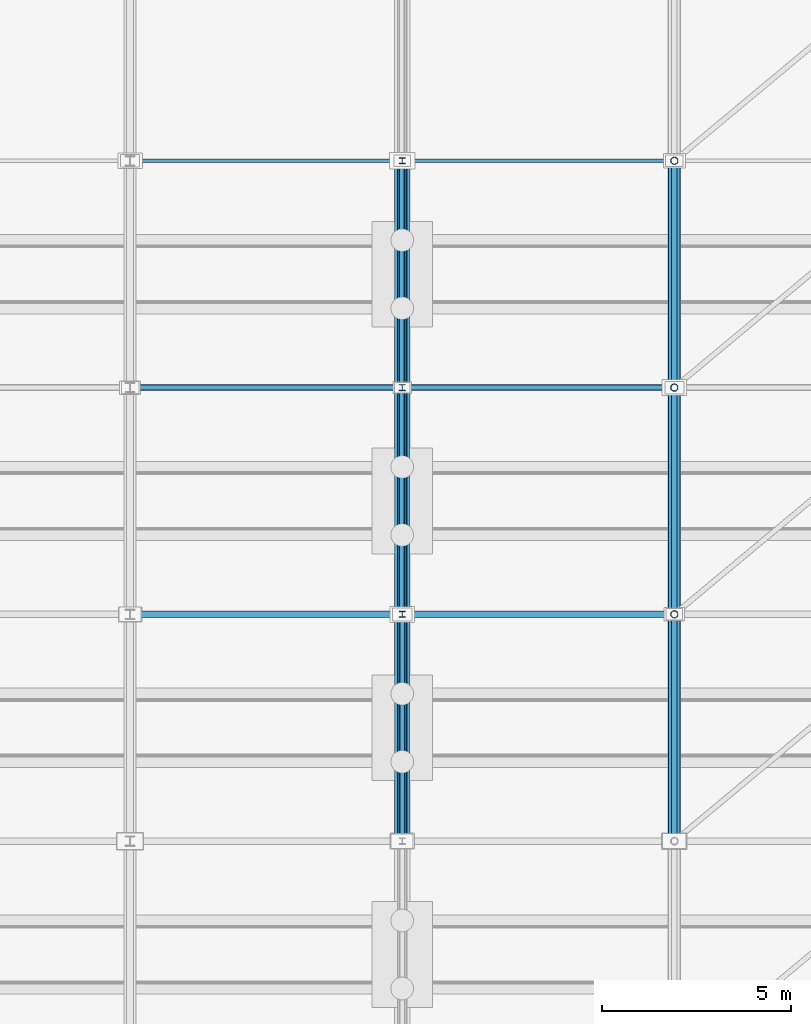
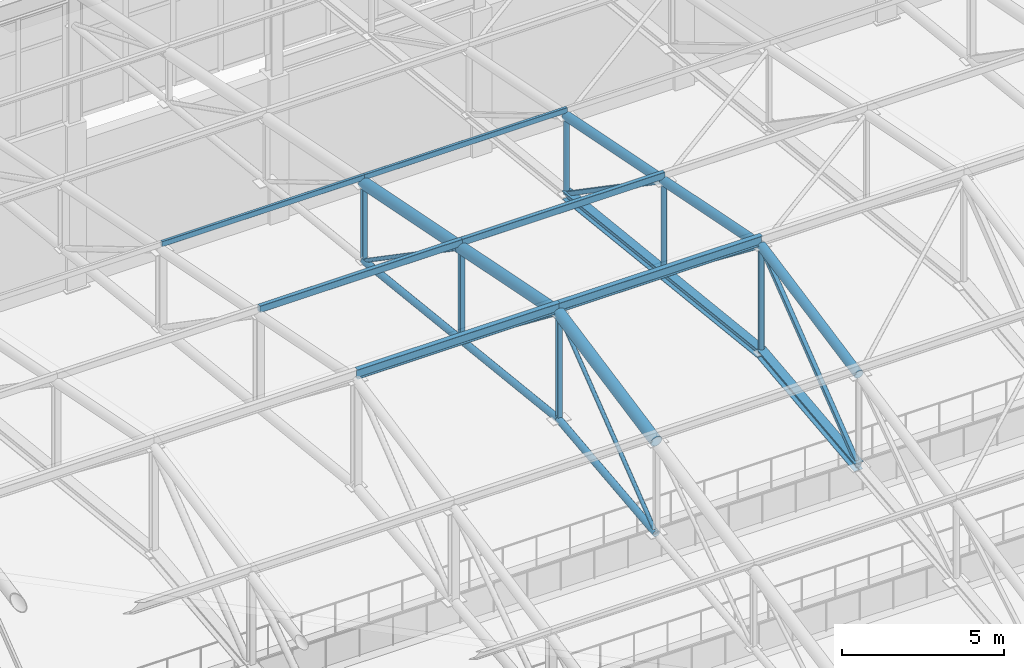
# One storey, part 147 of 293: 30 members.
"""IFC4 building model written with IfcOpenShell, lengths in metres."""

from ifc_helpers import new_model, si_unit, direction, frame, origin, origin_2d, place, context, subcontext, project, spatial, hollow_rectangle, hollow_circle, i_section, extrude, material, material_profile, profile_set, type_object, element, save


model = new_model("IFC4")

# Units and contexts
model_context = context("Model", 3, precision=1e-05, world=origin(), true_north=direction((0.0, 1.0)))
body_context = subcontext(model_context, "Body", "Model", "MODEL_VIEW")
ifc_project = project(units=[si_unit("LENGTHUNIT", "METRE"), si_unit("AREAUNIT", "SQUARE_METRE"), si_unit("VOLUMEUNIT", "CUBIC_METRE"), si_unit("PLANEANGLEUNIT", "RADIAN"), si_unit("MASSUNIT", "GRAM", prefix="KILO")], contexts=[model_context])

# Site, building, storey
site_placement = place(None, origin())
site = spatial("IfcSite", under=ifc_project, at=site_placement, CompositionType="ELEMENT")
building_placement = place(site_placement, origin())
building = spatial("IfcBuilding", under=site, at=building_placement, Name="Kemerveld Promenade Tramway Depot", CompositionType="ELEMENT")
storey_placement = place(building_placement, origin())
storey = spatial("IfcBuildingStorey", under=building, at=storey_placement, Name="L00", CompositionType="ELEMENT", Elevation=0.0)

# Members
ifc_material = material(Name="Steel S355", Category="steel")
ifc_material_profile_1 = material_profile(ifc_material, i_section(OverallWidth=0.154296875, OverallDepth=0.161865234375, WebThickness=0.008056640625, FlangeThickness=0.011474609375, FilletRadius=0.007568359375, at=origin_2d()), Name="152x152x37 UC")
ifc_profile_set_1 = profile_set([ifc_material_profile_1], Name="Steel S355")
member_type_1 = type_object("IfcMemberType", Name="MB-M05", PredefinedType="POST", material=ifc_profile_set_1)
member_1_placement = place(storey_placement, frame((100.800048828125, 114.0, 13.10009765625), z_axis=(0.0, 0.0, 1.0), x_axis=(1.0, 0.0, 0.0)))
element("IfcMember", 1, at=member_1_placement, inside=storey, type_object=member_type_1, Name="TR-15-VT-05", PredefinedType="POST", context=body_context, shape_type="SweptSolid", body=[
    extrude(i_section(OverallWidth=0.154296875, OverallDepth=0.161865234375, WebThickness=0.008056640625, FlangeThickness=0.011474609375, FilletRadius=0.007568359375, at=origin_2d()), origin(), (0.0, 0.0, 1.0), 4.0),
])
member_2_placement = place(storey_placement, frame((100.800048828125, 120.0, 12.43994140625), z_axis=(0.0, 0.0, 1.0), x_axis=(1.0, 0.0, 0.0)))
element("IfcMember", 2, at=member_2_placement, inside=storey, type_object=member_type_1, Name="TR-15-VT-06", PredefinedType="POST", context=body_context, shape_type="SweptSolid", body=[
    extrude(i_section(OverallWidth=0.154296875, OverallDepth=0.161865234375, WebThickness=0.008056640625, FlangeThickness=0.011474609375, FilletRadius=0.007568359375, at=origin_2d()), origin(), (0.0, 0.0, 1.0), 3.4599609375),
])
member_3_placement = place(storey_placement, frame((100.800048828125, 126.0, 11.780029296875), z_axis=(0.0, 0.0, 1.0), x_axis=(1.0, 0.0, 0.0)))
element("IfcMember", 3, at=member_3_placement, inside=storey, type_object=member_type_1, Name="TR-15-VT-07", PredefinedType="POST", context=body_context, shape_type="SweptSolid", body=[
    extrude(i_section(OverallWidth=0.154296875, OverallDepth=0.161865234375, WebThickness=0.008056640625, FlangeThickness=0.011474609375, FilletRadius=0.007568359375, at=origin_2d()), origin(), (0.0, 0.0, 1.0), 2.919921875),
])
ifc_material_profile_2 = material_profile(ifc_material, i_section(OverallWidth=0.172119140625, OverallDepth=0.35791015625, WebThickness=0.008056640625, FlangeThickness=0.012939453125, FilletRadius=0.01025390625, at=origin_2d()), Name="356x171x57 UB")
ifc_profile_set_2 = profile_set([ifc_material_profile_2], Name="Steel S355")
member_type_2 = type_object("IfcMemberType", Name="MB-M07", PredefinedType="PURLIN", material=ifc_profile_set_2)
for number, where, z_axis, x_axis, name in (
    (4, (93.60009765625, 114.0, 17.344970703125), (1.0, 0.0, 0.0), (0.0, 1.0, 0.0), "PUR-V1-05-14"),
    (5, (100.800048828125, 114.0, 17.344970703125), (1.0, 0.0, 0.0), (0.0, 1.0, 0.0), "PUR-V1-05-15"),
):
    element("IfcMember", number, at=place(storey_placement, frame(where, z_axis=z_axis, x_axis=x_axis)), inside=storey, type_object=member_type_2, Name=name, PredefinedType="PURLIN", context=body_context, shape_type="SweptSolid", body=[
        extrude(i_section(OverallWidth=0.172119140625, OverallDepth=0.35791015625, WebThickness=0.008056640625, FlangeThickness=0.012939453125, FilletRadius=0.01025390625, at=origin_2d()), origin(), (0.0, 0.0, 1.0), 7.199951171875),
    ])
ifc_material_profile_3 = material_profile(ifc_material, hollow_rectangle(XDim=0.14990234375, YDim=0.25, WallThickness=0.010009765625, InnerFilletRadius=0.0048828125, OuterFilletRadius=0.014892578125, at=origin_2d()), Name="250x150x10.0 RHS")
ifc_profile_set_3 = profile_set([ifc_material_profile_3], Name="Steel S355")
member_type_3 = type_object("IfcMemberType", Name="MB-PR1", PredefinedType="PURLIN", material=ifc_profile_set_3)
for number, where, z_axis, x_axis, name in (
    (6, (93.60009765625, 120.0, 16.14501953125), (1.0, 0.0, 0.0), (0.0, 1.0, 0.0), "PUR-V1-06-14"),
    (7, (100.800048828125, 120.0, 16.14501953125), (1.0, 0.0, 0.0), (0.0, 1.0, 0.0), "PUR-V1-06-15"),
):
    element("IfcMember", number, at=place(storey_placement, frame(where, z_axis=z_axis, x_axis=x_axis)), inside=storey, type_object=member_type_3, Name=name, PredefinedType="PURLIN", context=body_context, shape_type="SweptSolid", body=[
        extrude(hollow_rectangle(XDim=0.14990234375, YDim=0.25, WallThickness=0.010009765625, InnerFilletRadius=0.0048828125, OuterFilletRadius=0.014892578125, at=origin_2d()), origin(), (0.0, 0.0, 1.0), 7.199951171875),
    ])
ifc_material_profile_4 = material_profile(ifc_material, hollow_rectangle(XDim=0.10009765625, YDim=0.199951171875, WallThickness=0.008056640625, InnerFilletRadius=0.00390625, OuterFilletRadius=0.011962890625, at=origin_2d()), Name="200x100x8.0 RHS")
ifc_profile_set_4 = profile_set([ifc_material_profile_4], Name="Steel S355")
member_type_4 = type_object("IfcMemberType", Name="MB-PR2", PredefinedType="PURLIN", material=ifc_profile_set_4)
for number, where, z_axis, x_axis, name in (
    (8, (93.60009765625, 126.0, 14.945068359375), (1.0, 0.0, 0.0), (0.0, 1.0, 0.0), "PUR-V1-07-14"),
    (9, (100.800048828125, 126.0, 14.945068359375), (1.0, 0.0, 0.0), (0.0, 1.0, 0.0), "PUR-V1-07-15"),
):
    element("IfcMember", number, at=place(storey_placement, frame(where, z_axis=z_axis, x_axis=x_axis)), inside=storey, type_object=member_type_4, Name=name, PredefinedType="PURLIN", context=body_context, shape_type="SweptSolid", body=[
        extrude(hollow_rectangle(XDim=0.10009765625, YDim=0.199951171875, WallThickness=0.008056640625, InnerFilletRadius=0.00390625, OuterFilletRadius=0.011962890625, at=origin_2d()), origin(), (0.0, 0.0, 1.0), 7.199951171875),
    ])
ifc_material_profile_5 = material_profile(ifc_material, hollow_circle(Radius=0.06982421875, WallThickness=0.00634765625, at=origin_2d()), Name="139.7x6.3 CHS")
ifc_profile_set_5 = profile_set([ifc_material_profile_5], Name="Steel S355")
member_type_5 = type_object("IfcMemberType", Name="MB-TB3", PredefinedType="BRACE", material=ifc_profile_set_5)
for number, where, z_axis, x_axis, name in (
    (10, (100.800048828125, 108.0, 12.43994140625), (0.0, 0.789767329101, 0.613406525793), (-1.0, 0.0, 0.0), "TR-15-DG-05"),
    (11, (100.800048828125, 120.0, 12.43994140625), (0.0, -0.789767329101, 0.613406525793), (1.0, 0.0, 0.0), "TR-15-DG-06"),
):
    element("IfcMember", number, at=place(storey_placement, frame(where, z_axis=z_axis, x_axis=x_axis)), inside=storey, type_object=member_type_5, Name=name, PredefinedType="BRACE", context=body_context, shape_type="SweptSolid", body=[
        extrude(hollow_circle(Radius=0.06982421875, WallThickness=0.00634765625, at=origin_2d()), origin(), (0.0, 0.0, 1.0), 7.59716796875),
    ])
member_4_placement = place(storey_placement, frame((100.800048828125, 126.0, 11.780029296875), z_axis=(0.0, -0.824370638462, 0.566050395673), x_axis=(1.0, 0.0, 0.0)))
element("IfcMember", 12, at=member_4_placement, inside=storey, type_object=member_type_5, Name="TR-15-DG-07", PredefinedType="BRACE", context=body_context, shape_type="SweptSolid", body=[
    extrude(hollow_circle(Radius=0.06982421875, WallThickness=0.00634765625, at=origin_2d()), origin(), (0.0, 0.0, 1.0), 7.2783203125),
])
ifc_material_profile_6 = material_profile(ifc_material, hollow_rectangle(XDim=0.14990234375, YDim=0.14990234375, WallThickness=0.008056640625, InnerFilletRadius=0.00390625, OuterFilletRadius=0.011962890625, at=origin_2d()), Name="150x150x8.0 SHS")
ifc_profile_set_6 = profile_set([ifc_material_profile_6], Name="Steel S355")
member_type_6 = type_object("IfcMemberType", Name="MB-TB4", PredefinedType="BRACE", material=ifc_profile_set_6)
for number, where, z_axis, x_axis, name in (
    (13, (108.0, 108.0, 12.43994140625), (0.0, 0.789767329101, 0.613406525793), (-1.0, 0.0, 0.0), "TR-16-DG-05"),
    (14, (108.0, 120.0, 12.43994140625), (0.0, -0.789767329101, 0.613406525793), (1.0, 0.0, 0.0), "TR-16-DG-06"),
):
    element("IfcMember", number, at=place(storey_placement, frame(where, z_axis=z_axis, x_axis=x_axis)), inside=storey, type_object=member_type_6, Name=name, PredefinedType="BRACE", context=body_context, shape_type="SweptSolid", body=[
        extrude(hollow_rectangle(XDim=0.14990234375, YDim=0.14990234375, WallThickness=0.008056640625, InnerFilletRadius=0.00390625, OuterFilletRadius=0.011962890625, at=origin_2d()), origin(), (0.0, 0.0, 1.0), 7.59716796875),
    ])
member_5_placement = place(storey_placement, frame((108.0, 126.0, 11.780029296875), z_axis=(0.0, -0.824370638462, 0.566050395673), x_axis=(1.0, 0.0, 0.0)))
element("IfcMember", 15, at=member_5_placement, inside=storey, type_object=member_type_6, Name="TR-16-DG-07", PredefinedType="BRACE", context=body_context, shape_type="SweptSolid", body=[
    extrude(hollow_rectangle(XDim=0.14990234375, YDim=0.14990234375, WallThickness=0.008056640625, InnerFilletRadius=0.00390625, OuterFilletRadius=0.011962890625, at=origin_2d()), origin(), (0.0, 0.0, 1.0), 7.2783203125),
])
ifc_material_profile_7 = material_profile(ifc_material, hollow_circle(Radius=0.203125, WallThickness=0.01611328125, at=origin_2d()), Name="406.4x16.0 CHS")
ifc_profile_set_7 = profile_set([ifc_material_profile_7], Name="Steel S355")
member_type_7 = type_object("IfcMemberType", Name="MB-TC1", PredefinedType="CHORD", material=ifc_profile_set_7)
for number, where, z_axis, x_axis, name in (
    (16, (100.800048828125, 108.0, 15.89990234375), (0.0, 0.980574536798, 0.196146827104), (-1.0, 0.0, 0.0), "TR-15-TC-05"),
    (17, (100.800048828125, 114.0, 17.10009765625), (0.0, 0.980574536798, -0.196146827104), (-1.0, 0.0, 0.0), "TR-15-TC-06"),
    (18, (100.800048828125, 120.0, 15.89990234375), (0.0, 0.980582210276, -0.196108462057), (-1.0, 0.0, 0.0), "TR-15-TC-07"),
):
    element("IfcMember", number, at=place(storey_placement, frame(where, z_axis=z_axis, x_axis=x_axis)), inside=storey, type_object=member_type_7, Name=name, PredefinedType="CHORD", context=body_context, shape_type="SweptSolid", body=[
        extrude(hollow_circle(Radius=0.203125, WallThickness=0.01611328125, at=origin_2d()), origin(), (0.0, 0.0, 1.0), 6.118896484375),
    ])
ifc_material_profile_8 = material_profile(ifc_material, hollow_circle(Radius=0.161865234375, WallThickness=0.012451171875, at=origin_2d()), Name="323.9x12.5 CHS")
ifc_profile_set_8 = profile_set([ifc_material_profile_8], Name="Steel S355")
member_type_8 = type_object("IfcMemberType", Name="MB-TC2", PredefinedType="CHORD", material=ifc_profile_set_8)
for number, where, z_axis, x_axis, name in (
    (19, (108.0, 108.0, 15.89990234375), (0.0, 0.980574536798, 0.196146827104), (-1.0, 0.0, 0.0), "TR-16-TC-05"),
    (20, (108.0, 114.0, 17.10009765625), (0.0, 0.980574536798, -0.196146827104), (-1.0, 0.0, 0.0), "TR-16-TC-06"),
    (21, (108.0, 120.0, 15.89990234375), (0.0, 0.980582210276, -0.196108462057), (-1.0, 0.0, 0.0), "TR-16-TC-07"),
):
    element("IfcMember", number, at=place(storey_placement, frame(where, z_axis=z_axis, x_axis=x_axis)), inside=storey, type_object=member_type_8, Name=name, PredefinedType="CHORD", context=body_context, shape_type="SweptSolid", body=[
        extrude(hollow_circle(Radius=0.161865234375, WallThickness=0.012451171875, at=origin_2d()), origin(), (0.0, 0.0, 1.0), 6.118896484375),
    ])
ifc_material_profile_9 = material_profile(ifc_material, hollow_circle(Radius=0.122314453125, WallThickness=0.010009765625, at=origin_2d()), Name="244.5x10.0 CHS")
ifc_profile_set_9 = profile_set([ifc_material_profile_9], Name="Steel S355")
member_type_9 = type_object("IfcMemberType", Name="MB-TC3", PredefinedType="CHORD", material=ifc_profile_set_9)
for number, where, z_axis, x_axis, name in (
    (22, (100.800048828125, 108.0, 12.43994140625), (0.0, 0.994001542248, 0.109366055104), (-1.0, 0.0, 0.0), "TR-15-BC-05"),
    (23, (100.800048828125, 114.0, 13.10009765625), (0.0, 0.994001542248, -0.109366055104), (-1.0, 0.0, 0.0), "TR-15-BC-06"),
    (24, (100.800048828125, 120.0, 12.43994140625), (0.0, 0.994005938353, -0.109326092585), (-1.0, 0.0, 0.0), "TR-15-BC-07"),
):
    element("IfcMember", number, at=place(storey_placement, frame(where, z_axis=z_axis, x_axis=x_axis)), inside=storey, type_object=member_type_9, Name=name, PredefinedType="CHORD", context=body_context, shape_type="SweptSolid", body=[
        extrude(hollow_circle(Radius=0.122314453125, WallThickness=0.010009765625, at=origin_2d()), origin(), (0.0, 0.0, 1.0), 6.0361328125),
    ])
ifc_material_profile_10 = material_profile(ifc_material, i_section(OverallWidth=0.307373046875, OverallDepth=0.314453125, WebThickness=0.011962890625, FlangeThickness=0.018798828125, FilletRadius=0.01513671875, at=origin_2d()), Name="305x305x118 UC")
ifc_profile_set_10 = profile_set([ifc_material_profile_10], Name="Steel S355")
member_type_10 = type_object("IfcMemberType", Name="MB-TC4", PredefinedType="CHORD", material=ifc_profile_set_10)
for number, where, z_axis, x_axis, name in (
    (25, (108.0, 108.0, 12.43994140625), (0.0, 0.994001542248, 0.109366055104), (-1.0, 0.0, 0.0), "TR-16-BC-05"),
    (26, (108.0, 114.0, 13.10009765625), (0.0, 0.994001542248, -0.109366055104), (-1.0, 0.0, 0.0), "TR-16-BC-06"),
    (27, (108.0, 120.0, 12.43994140625), (0.0, 0.994005938353, -0.109326092585), (-1.0, 0.0, 0.0), "TR-16-BC-07"),
):
    element("IfcMember", number, at=place(storey_placement, frame(where, z_axis=z_axis, x_axis=x_axis)), inside=storey, type_object=member_type_10, Name=name, PredefinedType="CHORD", context=body_context, shape_type="SweptSolid", body=[
        extrude(i_section(OverallWidth=0.307373046875, OverallDepth=0.314453125, WebThickness=0.011962890625, FlangeThickness=0.018798828125, FilletRadius=0.01513671875, at=origin_2d()), origin(), (0.0, 0.0, 1.0), 6.0361328125),
    ])
ifc_material_profile_11 = material_profile(ifc_material, hollow_circle(Radius=0.096923828125, WallThickness=0.008056640625, at=origin_2d()), Name="193.7x8.0 CHS")
ifc_profile_set_11 = profile_set([ifc_material_profile_11], Name="Steel S355")
member_type_11 = type_object("IfcMemberType", Name="MB-TP1", PredefinedType="POST", material=ifc_profile_set_11)
member_6_placement = place(storey_placement, frame((108.0, 114.0, 13.10009765625), z_axis=(0.0, 0.0, 1.0), x_axis=(1.0, 0.0, 0.0)))
element("IfcMember", 28, at=member_6_placement, inside=storey, type_object=member_type_11, Name="TR-16-VT-05", PredefinedType="POST", context=body_context, shape_type="SweptSolid", body=[
    extrude(hollow_circle(Radius=0.096923828125, WallThickness=0.008056640625, at=origin_2d()), origin(), (0.0, 0.0, 1.0), 4.0),
])
member_7_placement = place(storey_placement, frame((108.0, 120.0, 12.43994140625), z_axis=(0.0, 0.0, 1.0), x_axis=(1.0, 0.0, 0.0)))
element("IfcMember", 29, at=member_7_placement, inside=storey, type_object=member_type_11, Name="TR-16-VT-06", PredefinedType="POST", context=body_context, shape_type="SweptSolid", body=[
    extrude(hollow_circle(Radius=0.096923828125, WallThickness=0.008056640625, at=origin_2d()), origin(), (0.0, 0.0, 1.0), 3.4599609375),
])
member_8_placement = place(storey_placement, frame((108.0, 126.0, 11.780029296875), z_axis=(0.0, 0.0, 1.0), x_axis=(1.0, 0.0, 0.0)))
element("IfcMember", 30, at=member_8_placement, inside=storey, type_object=member_type_11, Name="TR-16-VT-07", PredefinedType="POST", context=body_context, shape_type="SweptSolid", body=[
    extrude(hollow_circle(Radius=0.096923828125, WallThickness=0.008056640625, at=origin_2d()), origin(), (0.0, 0.0, 1.0), 2.919921875),
])

save(model, "model.ifc")
